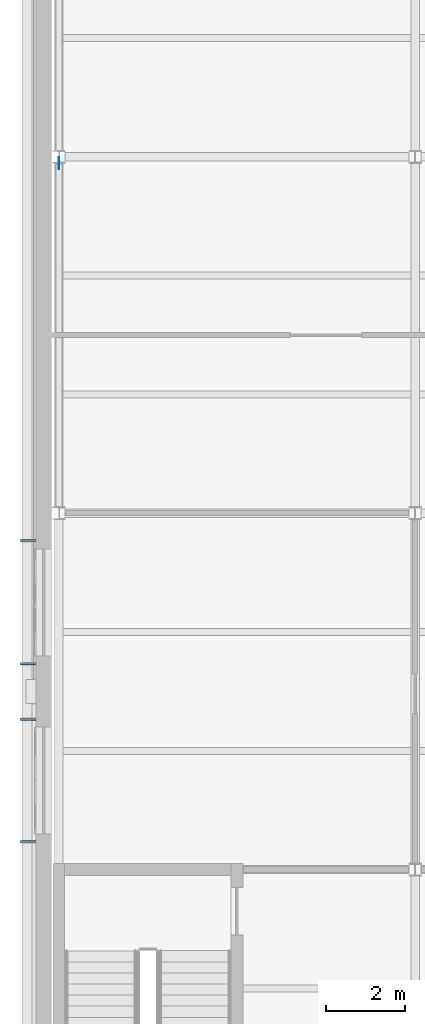
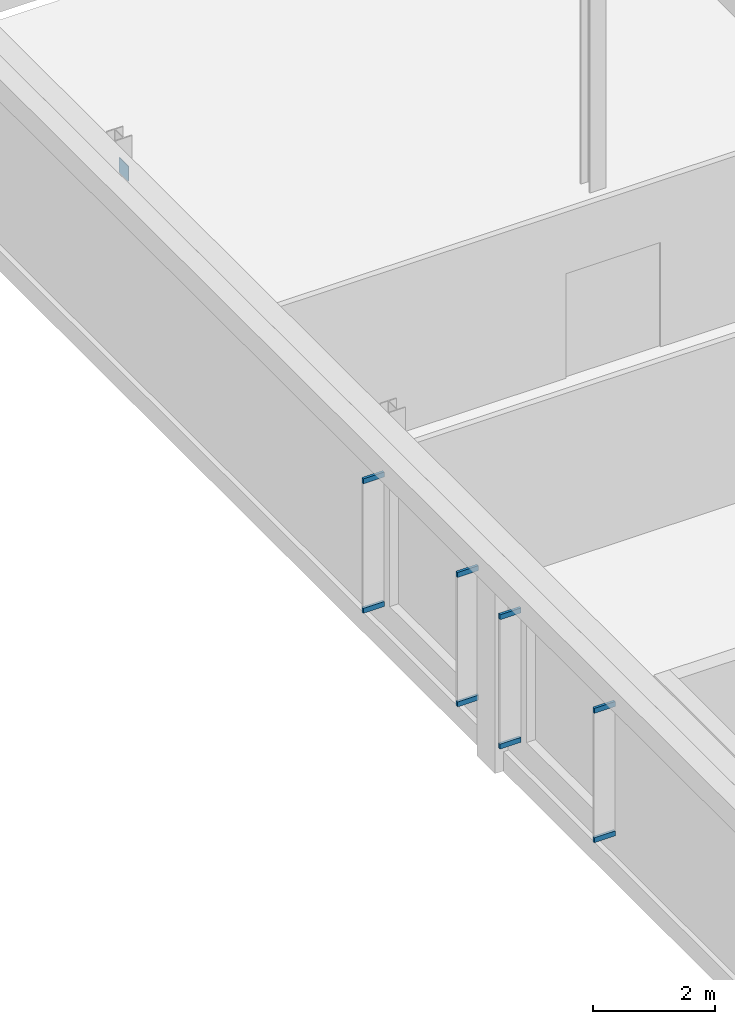
# One storey, part 47 of 62: 9 discrete accessories.
"""IFC4 building model written with IfcOpenShell, lengths in metres."""

from ifc_helpers import new_model, si_unit, direction, frame, origin, origin_2d, place, context, subcontext, project, spatial, rectangle, extrude, material, layer, layer_set, type_object, element, save


model = new_model("IFC4")

# Units and contexts
model_context = context("Model", 3, precision=1e-05, world=origin(), true_north=direction((0.0, 1.0)))
body_context = subcontext(model_context, "Body", "Model", "MODEL_VIEW")
ifc_project = project(units=[si_unit("LENGTHUNIT", "METRE"), si_unit("AREAUNIT", "SQUARE_METRE"), si_unit("VOLUMEUNIT", "CUBIC_METRE"), si_unit("PLANEANGLEUNIT", "RADIAN"), si_unit("MASSUNIT", "GRAM", prefix="KILO")], contexts=[model_context])

# Site, building, storey
site_placement = place(None, origin())
site = spatial("IfcSite", under=ifc_project, at=site_placement, CompositionType="ELEMENT")
building_placement = place(site_placement, origin())
building = spatial("IfcBuilding", under=site, at=building_placement, Name="Hortulan Conservatory and Botanical Research Centre", CompositionType="ELEMENT")
storey_placement = place(building_placement, frame((0.0, 0.0, 15.0)))
storey = spatial("IfcBuildingStorey", under=building, at=storey_placement, Name="L03", CompositionType="ELEMENT", Elevation=15.0)

# Discrete accessories
ifc_material_1 = material(Name="Steel Grade 300 plate (AS/NZS 3678, 280 MPa minimum yield)", Category="steel")
discrete_accessory_type_1 = type_object("IfcDiscreteAccessoryType", Name="End Plate 300x12", PredefinedType="BRACKET", material=ifc_material_1)
discrete_accessory_placement = place(storey_placement, frame((0.0, 62.842529296875, 3.42578125), z_axis=(0.0, 0.0, 1.0), x_axis=(0.0, -1.0, 0.0)))
element("IfcDiscreteAccessory", 1, at=discrete_accessory_placement, inside=storey, type_object=discrete_accessory_type_1, Name="Brace end plate", PredefinedType="BRACKET", context=body_context, shape_type="SweptSolid", body=[
    extrude(rectangle(XDim=0.300048828125, YDim=0.011962890625, at=origin_2d()), origin(), (0.0, 0.0, 1.0), 0.300048828125),
])
ifc_material_2 = material(Name="Bronze-charcoal painted wrought iron", Category="metal")
ifc_layer = layer(ifc_material_2, 0.050048828125)
ifc_layer_set = layer_set([ifc_layer], Name="Fin Bracket 50x400x100")
discrete_accessory_type_2 = type_object("IfcDiscreteAccessoryType", Name="Fin Bracket 50x400x100", PredefinedType="BRACKET", material=ifc_layer_set)
for number, where, z_axis, x_axis, name in (
    (2, (-0.779541015625, 45.699951171875, 0.800048828125), (0.0, 0.0, 1.0), (0.0, 1.0, 0.0), "Fin bracket"),
    (3, (-0.779541015625, 45.699951171875, 3.39990234375), (0.0, 0.0, 1.0), (0.0, 1.0, 0.0), "Fin bracket"),
    (4, (-0.779541015625, 48.800048828125, 0.800048828125), (0.0, 0.0, 1.0), (0.0, 1.0, 0.0), "Fin bracket"),
    (5, (-0.779541015625, 48.800048828125, 3.39990234375), (0.0, 0.0, 1.0), (0.0, 1.0, 0.0), "Fin bracket"),
    (6, (-0.779541015625, 50.199951171875, 0.800048828125), (0.0, 0.0, 1.0), (0.0, 1.0, 0.0), "Fin bracket"),
    (7, (-0.779541015625, 50.199951171875, 3.39990234375), (0.0, 0.0, 1.0), (0.0, 1.0, 0.0), "Fin bracket"),
    (8, (-0.779541015625, 53.300048828125, 0.800048828125), (0.0, 0.0, 1.0), (0.0, 1.0, 0.0), "Fin bracket"),
    (9, (-0.779541015625, 53.300048828125, 3.39990234375), (0.0, 0.0, 1.0), (0.0, 1.0, 0.0), "Fin bracket"),
):
    element("IfcDiscreteAccessory", number, at=place(storey_placement, frame(where, z_axis=z_axis, x_axis=x_axis)), inside=storey, type_object=discrete_accessory_type_2, Name=name, PredefinedType="BRACKET", context=body_context, shape_type="SweptSolid", body=[
        extrude(rectangle(XDim=0.050048828125, YDim=0.39990234375, at=origin_2d()), origin(), (0.0, 0.0, 1.0), 0.10009765625),
    ])

save(model, "model.ifc")
